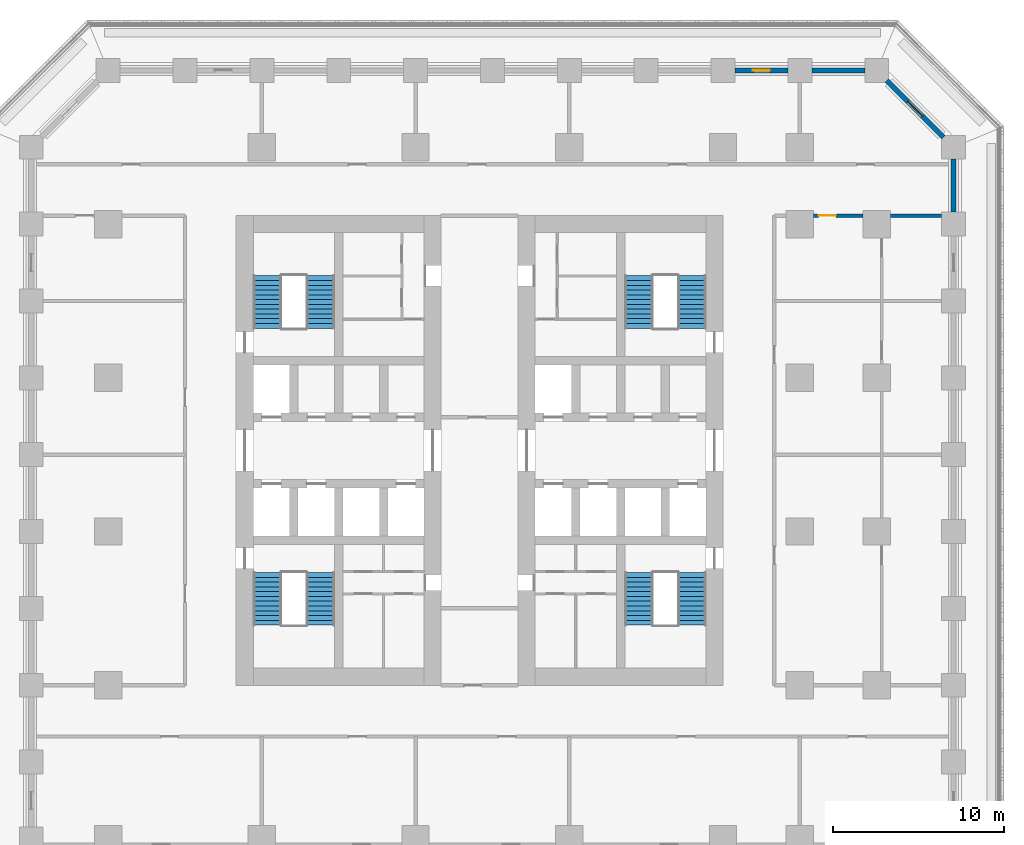
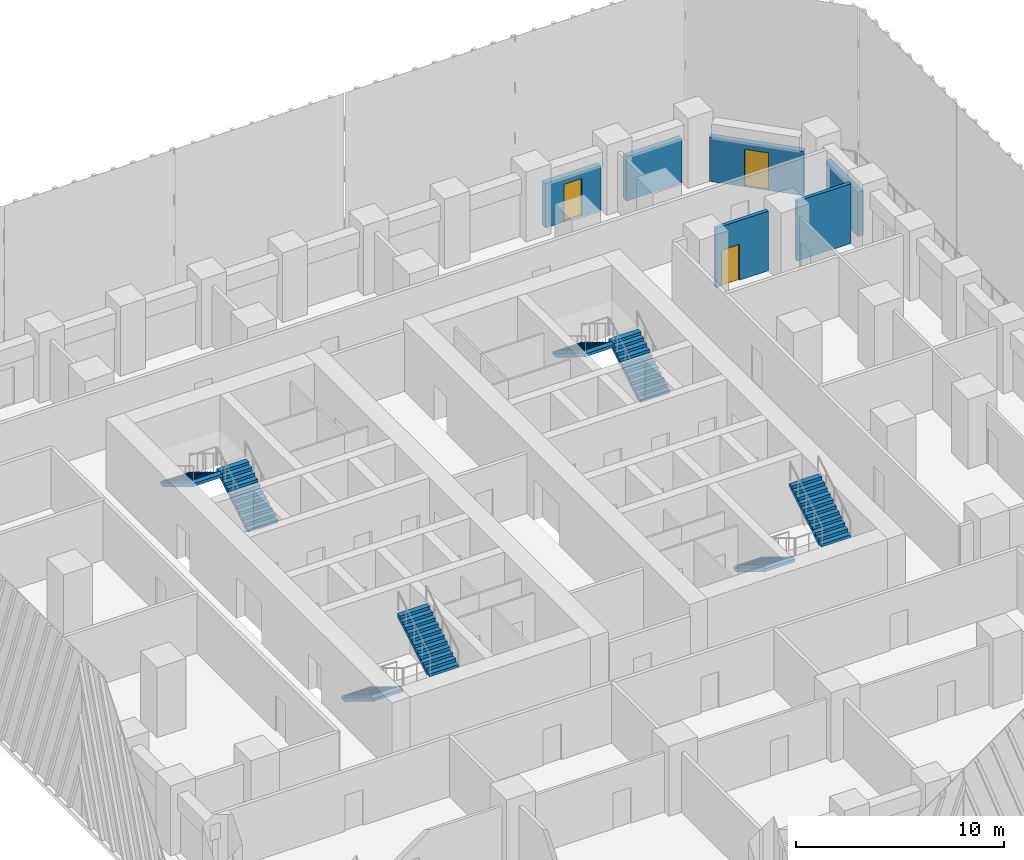
# One storey, part 7 of 13: 8 stair flights, 6 walls, 3 doors, 3 openings, 4 elements without a shape of their own.
"""IFC4 building model written with IfcOpenShell, lengths in metres."""

from ifc_helpers import new_model, si_unit, direction, frame, frame_2d, origin, place, context, subcontext, project, spatial, polyline, rectangle, outline, extrude, material, layer, layer_set, type_object, element, fill, aggregate, save


model = new_model("IFC4")

# Units and contexts
model_context = context("Model", 3, precision=1e-05, world=origin(), true_north=direction((0.0, 1.0)))
body_context = subcontext(model_context, "Body", "Model", "MODEL_VIEW")
ifc_project = project(units=[si_unit("LENGTHUNIT", "METRE"), si_unit("AREAUNIT", "SQUARE_METRE"), si_unit("VOLUMEUNIT", "CUBIC_METRE"), si_unit("PLANEANGLEUNIT", "RADIAN"), si_unit("MASSUNIT", "GRAM", prefix="KILO")], contexts=[model_context])

# Site, building, storey
site_placement = place(None, origin())
site = spatial("IfcSite", under=ifc_project, at=site_placement, CompositionType="ELEMENT")
building_placement = place(site_placement, origin())
building = spatial("IfcBuilding", under=site, at=building_placement, Name="Corbel Stack Research Tower", CompositionType="ELEMENT")
storey_placement = place(building_placement, frame((0.0, 0.0, 66.5)))
storey = spatial("IfcBuildingStorey", under=building, at=storey_placement, Name="L15", CompositionType="ELEMENT", Elevation=66.5)

# Wall, opening, door
ifc_material_1 = material(Name="Fire-rated gypsum board partition on steel studs", Category="steel")
ifc_layer_1 = layer(ifc_material_1, 0.199951171875)
ifc_layer_set_1 = layer_set([ifc_layer_1], Name="Fire-rated gypsum board partition on steel studs")
wall_type_1 = type_object("IfcWallType", Name="Fire-rated partition 200 EI 60", PredefinedType="PARTITIONING", material=ifc_layer_set_1)
wall_1_placement = place(storey_placement, frame((26.199951171875, 18.5, 0.0), z_axis=(0.0, 0.0, 1.0), x_axis=(-1.0, 0.0, 0.0)))
wall_1 = element("IfcWall", 1, at=wall_1_placement, inside=storey, type_object=wall_type_1, Name="Partition L15-043", PredefinedType="PARTITIONING", context=body_context, shape_type="SweptSolid", body=[
    extrude(rectangle(XDim=2.89990234375, YDim=0.199951171875, at=frame_2d((1.449951171875, 0.0))), origin(), (0.0, 0.0, 1.0), 3.5),
])
opening_1_placement = place(wall_1_placement, frame((1.60009765625, 0.0, 0.0)))
opening_1 = element("IfcOpeningElement", 2, at=opening_1_placement, cuts=wall_1, Name="Opening B2V2-016", PredefinedType="OPENING", context=body_context, shape_type="SweptSolid", body=[
    extrude(rectangle(XDim=1.0, YDim=2.10009765625, at=frame_2d((0.5, 1.050048828125))), frame((0.0, 0.10986328125, 0.0), z_axis=(0.0, -1.0, 0.0), x_axis=(1.0, 0.0, 0.0)), (0.0, 0.0, 1.0), 0.219970703125),
])
ifc_material_2 = material(Name="Painted steel fire door", Category="steel")
door_type_1 = type_object("IfcDoorType", Name="Fire door FD30S 1000 x 2100", OperationType="NOTDEFINED", PredefinedType="DOOR", material=ifc_material_2)
door_1_placement = place(opening_1_placement, origin())
door_1 = element("IfcDoor", 3, at=door_1_placement, inside=storey, type_object=door_type_1, Name="Door B2V2-016", OperationType="SINGLE_SWING_RIGHT", OverallHeight=2.10009765625, OverallWidth=1.0, PredefinedType="DOOR", context=body_context, shape_type="SweptSolid", body=[
    extrude(rectangle(XDim=1.0, YDim=2.10009765625, at=frame_2d((0.5, 1.050048828125))), frame((0.0, 0.02490234375, 0.0), z_axis=(0.0, -1.0, 0.0), x_axis=(1.0, 0.0, 0.0)), (0.0, 0.0, 1.0), 0.050048828125),
])
fill(opening_1, door_1)

# Walls
wall_2_placement = place(storey_placement, frame((27.800048828125, 18.5, 0.0), z_axis=(0.0, 0.0, 1.0), x_axis=(1.0, 0.0, 0.0)))
element("IfcWall", 4, at=wall_2_placement, inside=storey, type_object=wall_type_1, Name="Partition L15-044", PredefinedType="PARTITIONING", context=body_context, shape_type="SweptSolid", body=[
    extrude(rectangle(XDim=3.0, YDim=0.199951171875, at=frame_2d((1.5, 0.0))), origin(), (0.0, 0.0, 1.0), 3.5),
])
ifc_material_3 = material(Name="Concrete C45/55", Category="concrete")
ifc_layer_2 = layer(ifc_material_3, 0.300048828125)
ifc_layer_set_2 = layer_set([ifc_layer_2], Name="Concrete C45/55")
wall_type_2 = type_object("IfcWallType", Name="Terracotta-faced concrete wall 300", PredefinedType="SOLIDWALL", material=ifc_layer_set_2)
wall_3_placement = place(storey_placement, frame((31.5, 21.800048828125, 0.0), z_axis=(0.0, 0.0, 1.0), x_axis=(0.0, -1.0, 0.0)))
element("IfcWall", 5, at=wall_3_placement, inside=storey, type_object=wall_type_2, Name="Facade wall L15 E10", PredefinedType="SOLIDWALL", context=body_context, shape_type="SweptSolid", body=[
    extrude(rectangle(XDim=3.10009765625, YDim=0.300048828125, at=frame_2d((1.550048828125, 0.0))), origin(), (0.0, 0.0, 1.0), 2.60009765625),
])

# Wall, opening, door
wall_4_placement = place(storey_placement, frame((27.593994140625, 26.406005859375, 0.0), z_axis=(0.0, 0.0, 1.0), x_axis=(0.707106781187, -0.707106781187, 0.0)))
wall_4 = element("IfcWall", 6, at=wall_4_placement, inside=storey, type_object=wall_type_2, Name="Facade wall L15 NE01", PredefinedType="SOLIDWALL", context=body_context, shape_type="SweptSolid", body=[
    extrude(rectangle(XDim=4.683837890625, YDim=0.300048828125, at=frame_2d((2.341796875, 0.0))), origin(), (0.0, 0.0, 1.0), 2.60009765625),
])
opening_2_placement = place(wall_4_placement, frame((1.741943359375, 0.0, 0.0)))
opening_2 = element("IfcOpeningElement", 7, at=opening_2_placement, cuts=wall_4, Name="Opening L15-B06", PredefinedType="OPENING", context=body_context, shape_type="SweptSolid", body=[
    extrude(rectangle(XDim=1.199951171875, YDim=2.199951171875, at=frame_2d((0.60009765625, 1.10009765625))), frame((0.0, 0.159912109375, 0.0), z_axis=(0.0, -1.0, 0.0), x_axis=(1.0, 0.0, 0.0)), (0.0, 0.0, 1.0), 0.320068359375),
])
ifc_material_4 = material(Name="Aluminium frame, clear double glazing", Category="aluminium")
door_type_2 = type_object("IfcDoorType", Name="Balcony door BD2 1200 x 2200", OperationType="NOTDEFINED", PredefinedType="DOOR", material=ifc_material_4)
door_2_placement = place(opening_2_placement, origin())
door_2 = element("IfcDoor", 8, at=door_2_placement, inside=storey, type_object=door_type_2, Name="Balcony door L15-B06", OperationType="SINGLE_SWING_RIGHT", OverallHeight=2.199951171875, OverallWidth=1.199951171875, PredefinedType="DOOR", context=body_context, shape_type="SweptSolid", body=[
    extrude(rectangle(XDim=1.199951171875, YDim=2.199951171875, at=frame_2d((0.60009765625, 1.10009765625))), frame((0.0, 0.02490234375, 0.0), z_axis=(0.0, -1.0, 0.0), x_axis=(1.0, 0.0, 0.0)), (0.0, 0.0, 1.0), 0.050048828125),
])
fill(opening_2, door_2)

# Wall
wall_5_placement = place(storey_placement, frame((23.199951171875, 27.0, 0.0), z_axis=(0.0, 0.0, 1.0), x_axis=(1.0, 0.0, 0.0)))
element("IfcWall", 9, at=wall_5_placement, inside=storey, type_object=wall_type_2, Name="Facade wall L15 N01", PredefinedType="SOLIDWALL", context=body_context, shape_type="SweptSolid", body=[
    extrude(rectangle(XDim=3.10009765625, YDim=0.300048828125, at=frame_2d((1.550048828125, 0.0))), origin(), (0.0, 0.0, 1.0), 2.60009765625),
])

# Wall, opening, door
wall_6_placement = place(storey_placement, frame((18.699951171875, 27.0, 0.0), z_axis=(0.0, 0.0, 1.0), x_axis=(1.0, 0.0, 0.0)))
wall_6 = element("IfcWall", 10, at=wall_6_placement, inside=storey, type_object=wall_type_2, Name="Facade wall L15 N02", PredefinedType="SOLIDWALL", context=body_context, shape_type="SweptSolid", body=[
    extrude(rectangle(XDim=3.10009765625, YDim=0.300048828125, at=frame_2d((1.550048828125, 0.0))), origin(), (0.0, 0.0, 1.0), 2.60009765625),
])
opening_3_placement = place(wall_6_placement, frame((1.050048828125, 0.0, 0.0)))
opening_3 = element("IfcOpeningElement", 11, at=opening_3_placement, cuts=wall_6, Name="Opening L15-B07", PredefinedType="OPENING", context=body_context, shape_type="SweptSolid", body=[
    extrude(rectangle(XDim=1.0, YDim=2.199951171875, at=frame_2d((0.5, 1.10009765625))), frame((0.0, 0.159912109375, 0.0), z_axis=(0.0, -1.0, 0.0), x_axis=(1.0, 0.0, 0.0)), (0.0, 0.0, 1.0), 0.320068359375),
])
ifc_material_5 = material(Name="Aluminium frame, clear double glazing", Category="aluminium")
door_type_3 = type_object("IfcDoorType", Name="Balcony door BD1 1000 x 2200", OperationType="NOTDEFINED", PredefinedType="DOOR", material=ifc_material_5)
door_3_placement = place(opening_3_placement, origin())
door_3 = element("IfcDoor", 12, at=door_3_placement, inside=storey, type_object=door_type_3, Name="Balcony door L15-B07", OperationType="SINGLE_SWING_LEFT", OverallHeight=2.199951171875, OverallWidth=1.0, PredefinedType="DOOR", context=body_context, shape_type="SweptSolid", body=[
    extrude(rectangle(XDim=1.0, YDim=2.199951171875, at=frame_2d((0.5, 1.10009765625))), frame((0.0, 0.02490234375, 0.0), z_axis=(0.0, -1.0, 0.0), x_axis=(1.0, 0.0, 0.0)), (0.0, 0.0, 1.0), 0.050048828125),
])
fill(opening_3, door_3)

# Stair, stair flights
ifc_material_6 = material(Name="Concrete C40/50", Category="concrete")
stair_type = type_object("IfcStairType", Name="Exit stair 24 risers", PredefinedType="HALF_TURN_STAIR", material=ifc_material_6)
stair_1_placement = place(storey_placement, origin())
stair_1 = element("IfcStair", 13, at=stair_1_placement, inside=storey, type_object=stair_type, Name="L15 Exit stair ST-W1", PredefinedType="HALF_TURN_STAIR")
ifc_material_7 = material(Name="Concrete C40/50", Category="concrete")
stair_flight_type = type_object("IfcStairFlightType", Name="Stair flight 12 risers", PredefinedType="STRAIGHT", material=ifc_material_7)
stair_flight_1_placement = place(storey_placement, frame((-8.675048828125, -2.39990234375, 0.0), z_axis=(0.0, 0.0, 1.0), x_axis=(0.0, -1.0, 0.0)))
stair_flight_1 = element("IfcStairFlight", 14, at=stair_flight_1_placement, type_object=stair_flight_type, Name="ST-W1 flight 1", NumberOfRisers=12, NumberOfTreads=11, PredefinedType="STRAIGHT", RiserHeight=0.170833333, TreadLength=0.28, context=body_context, shape_type="SweptSolid", body=[
    extrude(outline(polyline([(0.0, 0.0), (0.0, 0.1708984375), (0.280029296875, 0.1708984375), (0.280029296875, 0.341552734375), (0.56005859375, 0.341552734375), (0.56005859375, 0.512451171875), (0.840087890625, 0.512451171875), (0.840087890625, 0.683349609375), (1.1201171875, 0.683349609375), (1.1201171875, 0.854248046875), (1.39990234375, 0.854248046875), (1.39990234375, 1.02490234375), (1.679931640625, 1.02490234375), (1.679931640625, 1.19580078125), (1.9599609375, 1.19580078125), (1.9599609375, 1.36669921875), (2.239990234375, 1.36669921875), (2.239990234375, 1.53759765625), (2.52001953125, 1.53759765625), (2.52001953125, 1.708251953125), (2.800048828125, 1.708251953125), (2.800048828125, 1.879150390625), (3.080078125, 1.879150390625), (3.080078125, 2.050048828125), (3.080078125, 1.70361328125), (0.287841796875, 0.0), (0.0, 0.0)])), frame((0.0, 0.824951171875, 0.0), z_axis=(0.0, -1.0, 0.0), x_axis=(1.0, 0.0, 0.0)), (0.0, 0.0, 1.0), 1.64990234375),
])
stair_flight_2_placement = place(storey_placement, frame((-5.574951171875, -5.47998046875, 2.050048828125), z_axis=(0.0, 0.0, 1.0), x_axis=(0.0, 1.0, 0.0)))
stair_flight_2 = element("IfcStairFlight", 15, at=stair_flight_2_placement, type_object=stair_flight_type, Name="ST-W1 flight 2", NumberOfRisers=12, NumberOfTreads=11, PredefinedType="STRAIGHT", RiserHeight=0.170833333, TreadLength=0.28, context=body_context, shape_type="SweptSolid", body=[
    extrude(outline(polyline([(0.0, 0.0), (0.0, 0.1708984375), (0.280029296875, 0.1708984375), (0.280029296875, 0.341552734375), (0.56005859375, 0.341552734375), (0.56005859375, 0.512451171875), (0.840087890625, 0.512451171875), (0.840087890625, 0.683349609375), (1.1201171875, 0.683349609375), (1.1201171875, 0.854248046875), (1.39990234375, 0.854248046875), (1.39990234375, 1.02490234375), (1.679931640625, 1.02490234375), (1.679931640625, 1.19580078125), (1.9599609375, 1.19580078125), (1.9599609375, 1.36669921875), (2.239990234375, 1.36669921875), (2.239990234375, 1.53759765625), (2.52001953125, 1.53759765625), (2.52001953125, 1.708251953125), (2.800048828125, 1.708251953125), (2.800048828125, 1.879150390625), (3.080078125, 1.879150390625), (3.080078125, 2.050048828125), (3.080078125, 1.70361328125), (0.287841796875, 0.0), (0.0, 0.0)])), frame((0.0, 0.824951171875, 0.0), z_axis=(0.0, -1.0, 0.0), x_axis=(1.0, 0.0, 0.0)), (0.0, 0.0, 1.0), 1.64990234375),
])
aggregate(stair_1, [stair_flight_1, stair_flight_2])

stair_2_placement = place(storey_placement, origin())
stair_2 = element("IfcStair", 16, at=stair_2_placement, inside=storey, type_object=stair_type, Name="L15 Exit stair ST-W2", PredefinedType="HALF_TURN_STAIR")
stair_flight_3_placement = place(storey_placement, frame((-5.574951171875, 11.89990234375, 0.0), z_axis=(0.0, 0.0, 1.0), x_axis=(0.0, 1.0, 0.0)))
stair_flight_3 = element("IfcStairFlight", 17, at=stair_flight_3_placement, type_object=stair_flight_type, Name="ST-W2 flight 1", NumberOfRisers=12, NumberOfTreads=11, PredefinedType="STRAIGHT", RiserHeight=0.170833333, TreadLength=0.28, context=body_context, shape_type="SweptSolid", body=[
    extrude(outline(polyline([(0.0, 0.0), (0.0, 0.1708984375), (0.280029296875, 0.1708984375), (0.280029296875, 0.341552734375), (0.56005859375, 0.341552734375), (0.56005859375, 0.512451171875), (0.840087890625, 0.512451171875), (0.840087890625, 0.683349609375), (1.1201171875, 0.683349609375), (1.1201171875, 0.854248046875), (1.39990234375, 0.854248046875), (1.39990234375, 1.02490234375), (1.679931640625, 1.02490234375), (1.679931640625, 1.19580078125), (1.9599609375, 1.19580078125), (1.9599609375, 1.36669921875), (2.239990234375, 1.36669921875), (2.239990234375, 1.53759765625), (2.52001953125, 1.53759765625), (2.52001953125, 1.708251953125), (2.800048828125, 1.708251953125), (2.800048828125, 1.879150390625), (3.080078125, 1.879150390625), (3.080078125, 2.050048828125), (3.080078125, 1.70361328125), (0.287841796875, 0.0), (0.0, 0.0)])), frame((0.0, 0.824951171875, 0.0), z_axis=(0.0, -1.0, 0.0), x_axis=(1.0, 0.0, 0.0)), (0.0, 0.0, 1.0), 1.64990234375),
])
stair_flight_4_placement = place(storey_placement, frame((-8.675048828125, 14.97998046875, 2.050048828125), z_axis=(0.0, 0.0, 1.0), x_axis=(0.0, -1.0, 0.0)))
stair_flight_4 = element("IfcStairFlight", 18, at=stair_flight_4_placement, type_object=stair_flight_type, Name="ST-W2 flight 2", NumberOfRisers=12, NumberOfTreads=11, PredefinedType="STRAIGHT", RiserHeight=0.170833333, TreadLength=0.28, context=body_context, shape_type="SweptSolid", body=[
    extrude(outline(polyline([(0.0, 0.0), (0.0, 0.1708984375), (0.280029296875, 0.1708984375), (0.280029296875, 0.341552734375), (0.56005859375, 0.341552734375), (0.56005859375, 0.512451171875), (0.840087890625, 0.512451171875), (0.840087890625, 0.683349609375), (1.1201171875, 0.683349609375), (1.1201171875, 0.854248046875), (1.39990234375, 0.854248046875), (1.39990234375, 1.02490234375), (1.679931640625, 1.02490234375), (1.679931640625, 1.19580078125), (1.9599609375, 1.19580078125), (1.9599609375, 1.36669921875), (2.239990234375, 1.36669921875), (2.239990234375, 1.53759765625), (2.52001953125, 1.53759765625), (2.52001953125, 1.708251953125), (2.800048828125, 1.708251953125), (2.800048828125, 1.879150390625), (3.080078125, 1.879150390625), (3.080078125, 2.050048828125), (3.080078125, 1.70361328125), (0.287841796875, 0.0), (0.0, 0.0)])), frame((0.0, 0.824951171875, 0.0), z_axis=(0.0, -1.0, 0.0), x_axis=(1.0, 0.0, 0.0)), (0.0, 0.0, 1.0), 1.64990234375),
])
aggregate(stair_2, [stair_flight_3, stair_flight_4])

stair_3_placement = place(storey_placement, origin())
stair_3 = element("IfcStair", 19, at=stair_3_placement, inside=storey, type_object=stair_type, Name="L15 Exit stair ST-E1", PredefinedType="HALF_TURN_STAIR")
stair_flight_5_placement = place(storey_placement, frame((13.074951171875, -2.39990234375, 0.0), z_axis=(0.0, 0.0, 1.0), x_axis=(0.0, -1.0, 0.0)))
stair_flight_5 = element("IfcStairFlight", 20, at=stair_flight_5_placement, type_object=stair_flight_type, Name="ST-E1 flight 1", NumberOfRisers=12, NumberOfTreads=11, PredefinedType="STRAIGHT", RiserHeight=0.170833333, TreadLength=0.28, context=body_context, shape_type="SweptSolid", body=[
    extrude(outline(polyline([(0.0, 0.0), (0.0, 0.1708984375), (0.280029296875, 0.1708984375), (0.280029296875, 0.341552734375), (0.56005859375, 0.341552734375), (0.56005859375, 0.512451171875), (0.840087890625, 0.512451171875), (0.840087890625, 0.683349609375), (1.1201171875, 0.683349609375), (1.1201171875, 0.854248046875), (1.39990234375, 0.854248046875), (1.39990234375, 1.02490234375), (1.679931640625, 1.02490234375), (1.679931640625, 1.19580078125), (1.9599609375, 1.19580078125), (1.9599609375, 1.36669921875), (2.239990234375, 1.36669921875), (2.239990234375, 1.53759765625), (2.52001953125, 1.53759765625), (2.52001953125, 1.708251953125), (2.800048828125, 1.708251953125), (2.800048828125, 1.879150390625), (3.080078125, 1.879150390625), (3.080078125, 2.050048828125), (3.080078125, 1.70361328125), (0.287841796875, 0.0), (0.0, 0.0)])), frame((0.0, 0.824951171875, 0.0), z_axis=(0.0, -1.0, 0.0), x_axis=(1.0, 0.0, 0.0)), (0.0, 0.0, 1.0), 1.64990234375),
])
stair_flight_6_placement = place(storey_placement, frame((16.175048828125, -5.47998046875, 2.050048828125), z_axis=(0.0, 0.0, 1.0), x_axis=(0.0, 1.0, 0.0)))
stair_flight_6 = element("IfcStairFlight", 21, at=stair_flight_6_placement, type_object=stair_flight_type, Name="ST-E1 flight 2", NumberOfRisers=12, NumberOfTreads=11, PredefinedType="STRAIGHT", RiserHeight=0.170833333, TreadLength=0.28, context=body_context, shape_type="SweptSolid", body=[
    extrude(outline(polyline([(0.0, 0.0), (0.0, 0.1708984375), (0.280029296875, 0.1708984375), (0.280029296875, 0.341552734375), (0.56005859375, 0.341552734375), (0.56005859375, 0.512451171875), (0.840087890625, 0.512451171875), (0.840087890625, 0.683349609375), (1.1201171875, 0.683349609375), (1.1201171875, 0.854248046875), (1.39990234375, 0.854248046875), (1.39990234375, 1.02490234375), (1.679931640625, 1.02490234375), (1.679931640625, 1.19580078125), (1.9599609375, 1.19580078125), (1.9599609375, 1.36669921875), (2.239990234375, 1.36669921875), (2.239990234375, 1.53759765625), (2.52001953125, 1.53759765625), (2.52001953125, 1.708251953125), (2.800048828125, 1.708251953125), (2.800048828125, 1.879150390625), (3.080078125, 1.879150390625), (3.080078125, 2.050048828125), (3.080078125, 1.70361328125), (0.287841796875, 0.0), (0.0, 0.0)])), frame((0.0, 0.824951171875, 0.0), z_axis=(0.0, -1.0, 0.0), x_axis=(1.0, 0.0, 0.0)), (0.0, 0.0, 1.0), 1.64990234375),
])
aggregate(stair_3, [stair_flight_5, stair_flight_6])

stair_4_placement = place(storey_placement, origin())
stair_4 = element("IfcStair", 22, at=stair_4_placement, inside=storey, type_object=stair_type, Name="L15 Exit stair ST-E2", PredefinedType="HALF_TURN_STAIR")
stair_flight_7_placement = place(storey_placement, frame((16.175048828125, 11.89990234375, 0.0), z_axis=(0.0, 0.0, 1.0), x_axis=(0.0, 1.0, 0.0)))
stair_flight_7 = element("IfcStairFlight", 23, at=stair_flight_7_placement, type_object=stair_flight_type, Name="ST-E2 flight 1", NumberOfRisers=12, NumberOfTreads=11, PredefinedType="STRAIGHT", RiserHeight=0.170833333, TreadLength=0.28, context=body_context, shape_type="SweptSolid", body=[
    extrude(outline(polyline([(0.0, 0.0), (0.0, 0.1708984375), (0.280029296875, 0.1708984375), (0.280029296875, 0.341552734375), (0.56005859375, 0.341552734375), (0.56005859375, 0.512451171875), (0.840087890625, 0.512451171875), (0.840087890625, 0.683349609375), (1.1201171875, 0.683349609375), (1.1201171875, 0.854248046875), (1.39990234375, 0.854248046875), (1.39990234375, 1.02490234375), (1.679931640625, 1.02490234375), (1.679931640625, 1.19580078125), (1.9599609375, 1.19580078125), (1.9599609375, 1.36669921875), (2.239990234375, 1.36669921875), (2.239990234375, 1.53759765625), (2.52001953125, 1.53759765625), (2.52001953125, 1.708251953125), (2.800048828125, 1.708251953125), (2.800048828125, 1.879150390625), (3.080078125, 1.879150390625), (3.080078125, 2.050048828125), (3.080078125, 1.70361328125), (0.287841796875, 0.0), (0.0, 0.0)])), frame((0.0, 0.824951171875, 0.0), z_axis=(0.0, -1.0, 0.0), x_axis=(1.0, 0.0, 0.0)), (0.0, 0.0, 1.0), 1.64990234375),
])
stair_flight_8_placement = place(storey_placement, frame((13.074951171875, 14.97998046875, 2.050048828125), z_axis=(0.0, 0.0, 1.0), x_axis=(0.0, -1.0, 0.0)))
stair_flight_8 = element("IfcStairFlight", 24, at=stair_flight_8_placement, type_object=stair_flight_type, Name="ST-E2 flight 2", NumberOfRisers=12, NumberOfTreads=11, PredefinedType="STRAIGHT", RiserHeight=0.170833333, TreadLength=0.28, context=body_context, shape_type="SweptSolid", body=[
    extrude(outline(polyline([(0.0, 0.0), (0.0, 0.1708984375), (0.280029296875, 0.1708984375), (0.280029296875, 0.341552734375), (0.56005859375, 0.341552734375), (0.56005859375, 0.512451171875), (0.840087890625, 0.512451171875), (0.840087890625, 0.683349609375), (1.1201171875, 0.683349609375), (1.1201171875, 0.854248046875), (1.39990234375, 0.854248046875), (1.39990234375, 1.02490234375), (1.679931640625, 1.02490234375), (1.679931640625, 1.19580078125), (1.9599609375, 1.19580078125), (1.9599609375, 1.36669921875), (2.239990234375, 1.36669921875), (2.239990234375, 1.53759765625), (2.52001953125, 1.53759765625), (2.52001953125, 1.708251953125), (2.800048828125, 1.708251953125), (2.800048828125, 1.879150390625), (3.080078125, 1.879150390625), (3.080078125, 2.050048828125), (3.080078125, 1.70361328125), (0.287841796875, 0.0), (0.0, 0.0)])), frame((0.0, 0.824951171875, 0.0), z_axis=(0.0, -1.0, 0.0), x_axis=(1.0, 0.0, 0.0)), (0.0, 0.0, 1.0), 1.64990234375),
])
aggregate(stair_4, [stair_flight_7, stair_flight_8])

save(model, "model.ifc")
